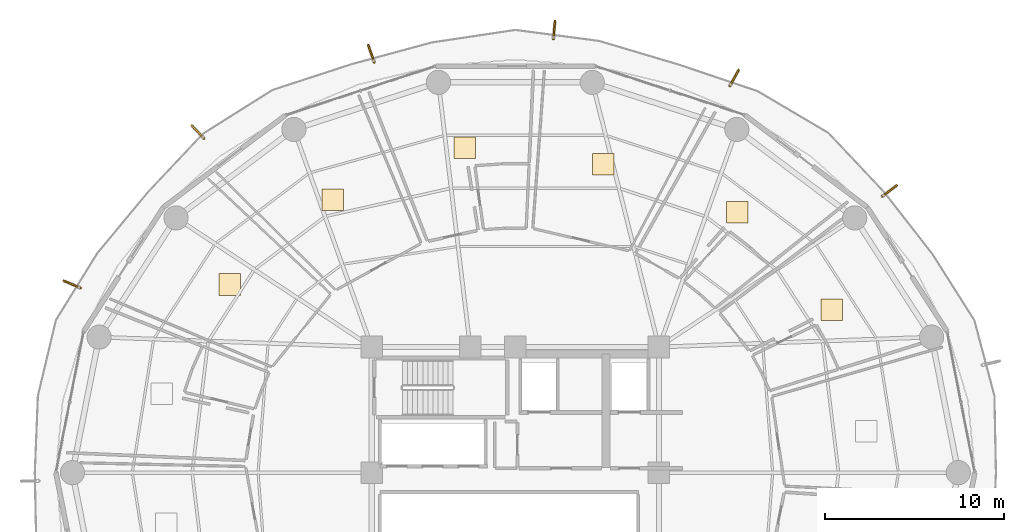
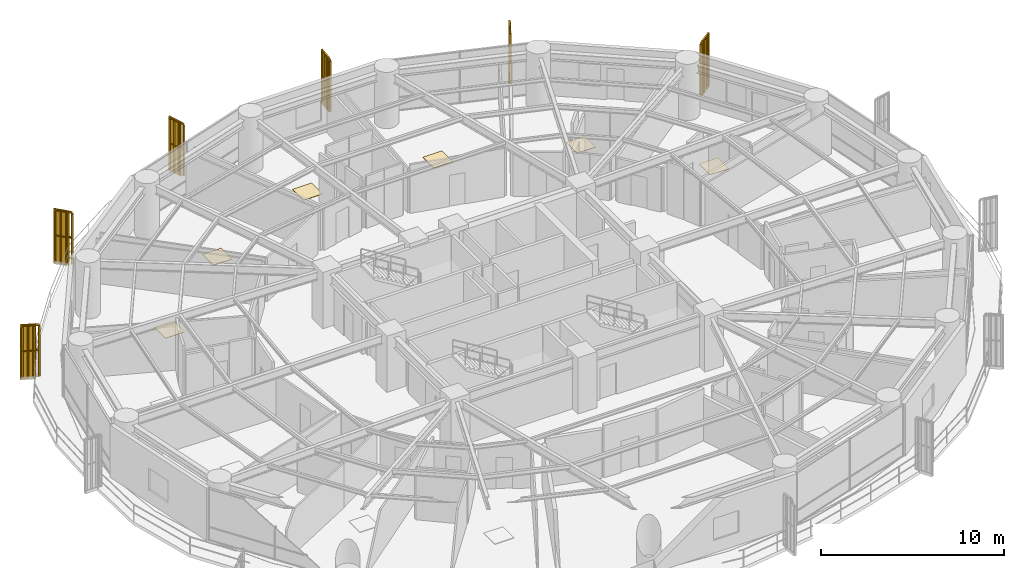
# One storey, part 37 of 37: 6 coverings, 6 railings, 6 shading devices.
"""IFC4 building model written with IfcOpenShell, lengths in metres."""

from ifc_helpers import new_model, si_unit, direction, frame, origin, origin_2d, place, context, subcontext, project, spatial, polyline, rectangle, outline, extrude, source, transform, mapped, material, layer, layer_set, type_object, element, save


model = new_model("IFC4")

# Units and contexts
model_context = context("Model", 3, precision=1e-05, world=origin(), true_north=direction((0.0, 1.0)))
body_context = subcontext(model_context, "Body", "Model", "MODEL_VIEW")
ifc_project = project(units=[si_unit("LENGTHUNIT", "METRE"), si_unit("AREAUNIT", "SQUARE_METRE"), si_unit("VOLUMEUNIT", "CUBIC_METRE"), si_unit("PLANEANGLEUNIT", "RADIAN"), si_unit("MASSUNIT", "GRAM", prefix="KILO")], contexts=[model_context])

# Site, building, storey
site_placement = place(None, origin())
site = spatial("IfcSite", under=ifc_project, at=site_placement, CompositionType="ELEMENT")
building_placement = place(site_placement, origin())
building = spatial("IfcBuilding", under=site, at=building_placement, Name="Kelanora Arch Commons", CompositionType="ELEMENT")
storey_placement = place(building_placement, frame((0.0, 0.0, 110.10009765625)))
storey = spatial("IfcBuildingStorey", under=building, at=storey_placement, Name="L28", CompositionType="ELEMENT", Elevation=110.10009765625)

# Railings
ifc_material_1 = material(Name="Anodised bronze vertical shading fin rib assembly")
railing_type = type_object("IfcRailingType", Name="RAIL-FIN-BRZ", PredefinedType="BALUSTRADE", material=ifc_material_1)
railing_1_placement = place(storey_placement, frame((94.44580078125, 73.398681640625, -0.02001953125)))
element("IfcRailing", 1, at=railing_1_placement, inside=storey, type_object=railing_type, Name="Sweeping Bronze Vertical Fin Blade L28-00", PredefinedType="BALUSTRADE", context=body_context, shape_type="SweptSolid", body=[
    extrude(outline(polyline([(0.06982421875, 0.0), (0.034912109375, 0.060546875), (-0.034912109375, 0.060546875), (-0.06982421875, 0.0), (-0.034912109375, -0.060546875), (0.034912109375, -0.060546875), (0.06982421875, 0.0)])), frame((0.0, 0.0, 3.419921875), z_axis=(0.798851787491, 0.601527905938, 0.0), x_axis=(-0.601527905938, 0.798851787491, 0.0)), (0.0, 0.0, 1.0), 0.9453125),
    extrude(outline(polyline([(0.06982421875, 0.0), (0.034912109375, 0.060546875), (-0.034912109375, 0.060546875), (-0.06982421875, 0.0), (-0.034912109375, -0.060546875), (0.034912109375, -0.060546875), (0.06982421875, 0.0)])), frame((0.0, 0.0, 1.7451171875), z_axis=(0.798851787491, 0.601527905938, 0.0), x_axis=(-0.601527905938, 0.798851787491, 0.0)), (0.0, 0.0, 1.0), 0.9453125),
    extrude(outline(polyline([(0.080078125, 0.0), (0.0400390625, 0.0693359375), (-0.0400390625, 0.0693359375), (-0.080078125, 0.0), (-0.0400390625, -0.0693359375), (0.0400390625, -0.0693359375), (0.080078125, 0.0)])), origin(), (0.0, 0.0, 1.0), 3.35009765625),
    extrude(outline(polyline([(0.080078125, 0.0), (0.0400390625, 0.0693359375), (-0.0400390625, 0.0693359375), (-0.080078125, 0.0), (-0.0400390625, -0.0693359375), (0.0400390625, -0.0693359375), (0.080078125, 0.0)])), frame((0.251708984375, 0.189453125, 0.0)), (0.0, 0.0, 1.0), 3.35009765625),
    extrude(outline(polyline([(0.080078125, 0.0), (0.0400390625, 0.0693359375), (-0.0400390625, 0.0693359375), (-0.080078125, 0.0), (-0.0400390625, -0.0693359375), (0.0400390625, -0.0693359375), (0.080078125, 0.0)])), frame((0.50341796875, 0.379150390625, 0.0)), (0.0, 0.0, 1.0), 3.35009765625),
    extrude(outline(polyline([(0.080078125, 0.0), (0.0400390625, 0.0693359375), (-0.0400390625, 0.0693359375), (-0.080078125, 0.0), (-0.0400390625, -0.0693359375), (0.0400390625, -0.0693359375), (0.080078125, 0.0)])), frame((0.755126953125, 0.568603515625, 0.0)), (0.0, 0.0, 1.0), 3.35009765625),
])
railing_2_placement = place(storey_placement, frame((85.9521484375, 79.548828125, -0.02001953125)))
element("IfcRailing", 2, at=railing_2_placement, inside=storey, type_object=railing_type, Name="Sweeping Bronze Vertical Fin Blade L28-01", PredefinedType="BALUSTRADE", context=body_context, shape_type="SweptSolid", body=[
    extrude(outline(polyline([(0.06982421875, 0.0), (0.034912109375, 0.060546875), (-0.034912109375, 0.060546875), (-0.06982421875, 0.0), (-0.034912109375, -0.060546875), (0.034912109375, -0.060546875), (0.06982421875, 0.0)])), frame((0.0, 0.0, 3.419921875), z_axis=(0.48491928831, 0.87455890815, 0.0), x_axis=(-0.87455890815, 0.48491928831, 0.0)), (0.0, 0.0, 1.0), 0.945556640625),
    extrude(outline(polyline([(0.06982421875, 0.0), (0.034912109375, 0.060546875), (-0.034912109375, 0.060546875), (-0.06982421875, 0.0), (-0.034912109375, -0.060546875), (0.034912109375, -0.060546875), (0.06982421875, 0.0)])), frame((0.0, 0.0, 1.7451171875), z_axis=(0.48491928831, 0.87455890815, 0.0), x_axis=(-0.87455890815, 0.48491928831, 0.0)), (0.0, 0.0, 1.0), 0.945556640625),
    extrude(outline(polyline([(0.080078125, 0.0), (0.0400390625, 0.0693359375), (-0.0400390625, 0.0693359375), (-0.080078125, 0.0), (-0.0400390625, -0.0693359375), (0.0400390625, -0.0693359375), (0.080078125, 0.0)])), origin(), (0.0, 0.0, 1.0), 3.35009765625),
    extrude(outline(polyline([(0.080078125, 0.0), (0.0400390625, 0.0693359375), (-0.0400390625, 0.0693359375), (-0.080078125, 0.0), (-0.0400390625, -0.0693359375), (0.0400390625, -0.0693359375), (0.080078125, 0.0)])), frame((0.15283203125, 0.275634765625, 0.0)), (0.0, 0.0, 1.0), 3.35009765625),
    extrude(outline(polyline([(0.080078125, 0.0), (0.0400390625, 0.0693359375), (-0.0400390625, 0.0693359375), (-0.080078125, 0.0), (-0.0400390625, -0.0693359375), (0.0400390625, -0.0693359375), (0.080078125, 0.0)])), frame((0.3056640625, 0.55126953125, 0.0)), (0.0, 0.0, 1.0), 3.35009765625),
    extrude(outline(polyline([(0.080078125, 0.0), (0.0400390625, 0.0693359375), (-0.0400390625, 0.0693359375), (-0.080078125, 0.0), (-0.0400390625, -0.0693359375), (0.0400390625, -0.0693359375), (0.080078125, 0.0)])), frame((0.45849609375, 0.826904296875, 0.0)), (0.0, 0.0, 1.0), 3.35009765625),
])
railing_3_placement = place(storey_placement, frame((76.120849609375, 82.16796875, -0.02001953125)))
element("IfcRailing", 3, at=railing_3_placement, inside=storey, type_object=railing_type, Name="Sweeping Bronze Vertical Fin Blade L28-02", PredefinedType="BALUSTRADE", context=body_context, shape_type="SweptSolid", body=[
    extrude(outline(polyline([(0.06982421875, 0.0), (0.034912109375, 0.060546875), (-0.034912109375, 0.060546875), (-0.06982421875, 0.0), (-0.034912109375, -0.060546875), (0.034912109375, -0.060546875), (0.06982421875, 0.0)])), frame((0.0, 0.0, 3.419921875), z_axis=(0.087275856296, 0.996184182221, 0.0), x_axis=(-0.996184182221, 0.087275856296, 0.0)), (0.0, 0.0, 1.0), 0.945556640625),
    extrude(outline(polyline([(0.06982421875, 0.0), (0.034912109375, 0.060546875), (-0.034912109375, 0.060546875), (-0.06982421875, 0.0), (-0.034912109375, -0.060546875), (0.034912109375, -0.060546875), (0.06982421875, 0.0)])), frame((0.0, 0.0, 1.7451171875), z_axis=(0.087275856296, 0.996184182221, 0.0), x_axis=(-0.996184182221, 0.087275856296, 0.0)), (0.0, 0.0, 1.0), 0.945556640625),
    extrude(outline(polyline([(0.080078125, 0.0), (0.0400390625, 0.0693359375), (-0.0400390625, 0.0693359375), (-0.080078125, 0.0), (-0.0400390625, -0.0693359375), (0.0400390625, -0.0693359375), (0.080078125, 0.0)])), origin(), (0.0, 0.0, 1.0), 3.35009765625),
    extrude(outline(polyline([(0.080078125, 0.0), (0.0400390625, 0.0693359375), (-0.0400390625, 0.0693359375), (-0.080078125, 0.0), (-0.0400390625, -0.0693359375), (0.0400390625, -0.0693359375), (0.080078125, 0.0)])), frame((0.027587890625, 0.31396484375, 0.0)), (0.0, 0.0, 1.0), 3.35009765625),
    extrude(outline(polyline([(0.080078125, 0.0), (0.0400390625, 0.0693359375), (-0.0400390625, 0.0693359375), (-0.080078125, 0.0), (-0.0400390625, -0.0693359375), (0.0400390625, -0.0693359375), (0.080078125, 0.0)])), frame((0.054931640625, 0.6279296875, 0.0)), (0.0, 0.0, 1.0), 3.35009765625),
    extrude(outline(polyline([(0.080078125, 0.0), (0.0400390625, 0.0693359375), (-0.0400390625, 0.0693359375), (-0.080078125, 0.0), (-0.0400390625, -0.0693359375), (0.0400390625, -0.0693359375), (0.080078125, 0.0)])), frame((0.08251953125, 0.94189453125, 0.0)), (0.0, 0.0, 1.0), 3.35009765625),
])
railing_4_placement = place(storey_placement, frame((66.130859375, 80.873046875, -0.02001953125)))
element("IfcRailing", 4, at=railing_4_placement, inside=storey, type_object=railing_type, Name="Sweeping Bronze Vertical Fin Blade L28-03", PredefinedType="BALUSTRADE", context=body_context, shape_type="SweptSolid", body=[
    extrude(outline(polyline([(0.06982421875, 0.0), (0.034912109375, 0.060546875), (-0.034912109375, 0.060546875), (-0.06982421875, 0.0), (-0.034912109375, -0.060546875), (0.034912109375, -0.060546875), (0.06982421875, 0.0)])), frame((0.0, 0.0, 3.419921875), z_axis=(-0.325353984028, 0.945592293262, 0.0), x_axis=(-0.945592293262, -0.325353984028, 0.0)), (0.0, 0.0, 1.0), 0.945556640625),
    extrude(outline(polyline([(0.06982421875, 0.0), (0.034912109375, 0.060546875), (-0.034912109375, 0.060546875), (-0.06982421875, 0.0), (-0.034912109375, -0.060546875), (0.034912109375, -0.060546875), (0.06982421875, 0.0)])), frame((0.0, 0.0, 1.7451171875), z_axis=(-0.325353984028, 0.945592293262, 0.0), x_axis=(-0.945592293262, -0.325353984028, 0.0)), (0.0, 0.0, 1.0), 0.945556640625),
    extrude(outline(polyline([(0.080078125, 0.0), (0.0400390625, 0.0693359375), (-0.0400390625, 0.0693359375), (-0.080078125, 0.0), (-0.0400390625, -0.0693359375), (0.0400390625, -0.0693359375), (0.080078125, 0.0)])), origin(), (0.0, 0.0, 1.0), 3.35009765625),
    extrude(outline(polyline([(0.080078125, 0.0), (0.0400390625, 0.0693359375), (-0.0400390625, 0.0693359375), (-0.080078125, 0.0), (-0.0400390625, -0.0693359375), (0.0400390625, -0.0693359375), (0.080078125, 0.0)])), frame((-0.1025390625, 0.298095703125, 0.0)), (0.0, 0.0, 1.0), 3.35009765625),
    extrude(outline(polyline([(0.080078125, 0.0), (0.0400390625, 0.0693359375), (-0.0400390625, 0.0693359375), (-0.080078125, 0.0), (-0.0400390625, -0.0693359375), (0.0400390625, -0.0693359375), (0.080078125, 0.0)])), frame((-0.205078125, 0.595947265625, 0.0)), (0.0, 0.0, 1.0), 3.35009765625),
    extrude(outline(polyline([(0.080078125, 0.0), (0.0400390625, 0.0693359375), (-0.0400390625, 0.0693359375), (-0.080078125, 0.0), (-0.0400390625, -0.0693359375), (0.0400390625, -0.0693359375), (0.080078125, 0.0)])), frame((-0.3076171875, 0.89404296875, 0.0)), (0.0, 0.0, 1.0), 3.35009765625),
])
railing_5_placement = place(storey_placement, frame((56.64599609375, 76.619384765625, -0.02001953125)))
element("IfcRailing", 5, at=railing_5_placement, inside=storey, type_object=railing_type, Name="Sweeping Bronze Vertical Fin Blade L28-04", PredefinedType="BALUSTRADE", context=body_context, shape_type="SweptSolid", body=[
    extrude(outline(polyline([(0.06982421875, 0.0), (0.034912109375, 0.060546875), (-0.034912109375, 0.060546875), (-0.06982421875, 0.0), (-0.034912109375, -0.060546875), (0.034912109375, -0.060546875), (0.06982421875, 0.0)])), frame((0.0, 0.0, 3.419921875), z_axis=(-0.681747588753, 0.731587469295, 0.0), x_axis=(-0.731587469295, -0.681747588753, 0.0)), (0.0, 0.0, 1.0), 0.9453125),
    extrude(outline(polyline([(0.06982421875, 0.0), (0.034912109375, 0.060546875), (-0.034912109375, 0.060546875), (-0.06982421875, 0.0), (-0.034912109375, -0.060546875), (0.034912109375, -0.060546875), (0.06982421875, 0.0)])), frame((0.0, 0.0, 1.7451171875), z_axis=(-0.681747588753, 0.731587469295, 0.0), x_axis=(-0.731587469295, -0.681747588753, 0.0)), (0.0, 0.0, 1.0), 0.9453125),
    extrude(outline(polyline([(0.080078125, 0.0), (0.0400390625, 0.0693359375), (-0.0400390625, 0.0693359375), (-0.080078125, 0.0), (-0.0400390625, -0.0693359375), (0.0400390625, -0.0693359375), (0.080078125, 0.0)])), origin(), (0.0, 0.0, 1.0), 3.35009765625),
    extrude(outline(polyline([(0.080078125, 0.0), (0.0400390625, 0.0693359375), (-0.0400390625, 0.0693359375), (-0.080078125, 0.0), (-0.0400390625, -0.0693359375), (0.0400390625, -0.0693359375), (0.080078125, 0.0)])), frame((-0.21484375, 0.23046875, 0.0)), (0.0, 0.0, 1.0), 3.35009765625),
    extrude(outline(polyline([(0.080078125, 0.0), (0.0400390625, 0.0693359375), (-0.0400390625, 0.0693359375), (-0.080078125, 0.0), (-0.0400390625, -0.0693359375), (0.0400390625, -0.0693359375), (0.080078125, 0.0)])), frame((-0.4296875, 0.461181640625, 0.0)), (0.0, 0.0, 1.0), 3.35009765625),
    extrude(outline(polyline([(0.080078125, 0.0), (0.0400390625, 0.0693359375), (-0.0400390625, 0.0693359375), (-0.080078125, 0.0), (-0.0400390625, -0.0693359375), (0.0400390625, -0.0693359375), (0.080078125, 0.0)])), frame((-0.64453125, 0.691650390625, 0.0)), (0.0, 0.0, 1.0), 3.35009765625),
])
railing_6_placement = place(storey_placement, frame((49.76708984375, 68.293701171875, -0.02001953125)))
element("IfcRailing", 6, at=railing_6_placement, inside=storey, type_object=railing_type, Name="Sweeping Bronze Vertical Fin Blade L28-05", PredefinedType="BALUSTRADE", context=body_context, shape_type="SweptSolid", body=[
    extrude(outline(polyline([(0.06982421875, 0.0), (0.034912109375, 0.060546875), (-0.034912109375, 0.060546875), (-0.06982421875, 0.0), (-0.034912109375, -0.060546875), (0.034912109375, -0.060546875), (0.06982421875, 0.0)])), frame((0.0, 0.0, 3.419921875), z_axis=(-0.920395980397, 0.390987518047, 0.0), x_axis=(-0.390987518047, -0.920395980397, 0.0)), (0.0, 0.0, 1.0), 0.9453125),
    extrude(outline(polyline([(0.06982421875, 0.0), (0.034912109375, 0.060546875), (-0.034912109375, 0.060546875), (-0.06982421875, 0.0), (-0.034912109375, -0.060546875), (0.034912109375, -0.060546875), (0.06982421875, 0.0)])), frame((0.0, 0.0, 1.7451171875), z_axis=(-0.920395980397, 0.390987518047, 0.0), x_axis=(-0.390987518047, -0.920395980397, 0.0)), (0.0, 0.0, 1.0), 0.9453125),
    extrude(outline(polyline([(0.080078125, 0.0), (0.0400390625, 0.0693359375), (-0.0400390625, 0.0693359375), (-0.080078125, 0.0), (-0.0400390625, -0.0693359375), (0.0400390625, -0.0693359375), (0.080078125, 0.0)])), origin(), (0.0, 0.0, 1.0), 3.35009765625),
    extrude(outline(polyline([(0.080078125, 0.0), (0.0400390625, 0.0693359375), (-0.0400390625, 0.0693359375), (-0.080078125, 0.0), (-0.0400390625, -0.0693359375), (0.0400390625, -0.0693359375), (0.080078125, 0.0)])), frame((-0.2900390625, 0.123291015625, 0.0)), (0.0, 0.0, 1.0), 3.35009765625),
    extrude(outline(polyline([(0.080078125, 0.0), (0.0400390625, 0.0693359375), (-0.0400390625, 0.0693359375), (-0.080078125, 0.0), (-0.0400390625, -0.0693359375), (0.0400390625, -0.0693359375), (0.080078125, 0.0)])), frame((-0.580078125, 0.246337890625, 0.0)), (0.0, 0.0, 1.0), 3.35009765625),
    extrude(outline(polyline([(0.080078125, 0.0), (0.0400390625, 0.0693359375), (-0.0400390625, 0.0693359375), (-0.080078125, 0.0), (-0.0400390625, -0.0693359375), (0.0400390625, -0.0693359375), (0.080078125, 0.0)])), frame((-0.8701171875, 0.36962890625, 0.0)), (0.0, 0.0, 1.0), 3.35009765625),
])

# Shading devices
ifc_material_2 = material(Name="Terracotta ceramic-clad extruded aluminium fin", Category="masonry")
shading_device_type = type_object("IfcShadingDeviceType", Name="SHD-FIN-FLARE", PredefinedType="USERDEFINED", material=ifc_material_2)
shared_shape_1 = source(origin(), body_context, "Body", "SweptSolid", [
    extrude(rectangle(XDim=0.8798828125, YDim=0.090087890625, at=origin_2d()), origin(), (0.0, 0.0, 1.0), 3.610107421875),
])
for number, where, z_axis, x_axis, name in (
    (7, (94.935302734375, 73.76708984375, -0.14013671875), (0.0, 0.0, 1.0), (0.79884553446, 0.60153621011, 0.0), "Sweeping Terracotta Fin L28-00"),
    (8, (86.249267578125, 80.084716796875, -0.14013671875), (0.0, 0.0, 1.0), (0.485114890576, 0.874450423376, 0.0), "Sweeping Terracotta Fin L28-01"),
    (9, (76.17431640625, 82.7783203125, -0.14013671875), (0.0, 0.0, 1.0), (0.08750347498, 0.996164214307, 0.0), "Sweeping Terracotta Fin L28-02"),
    (10, (65.931396484375, 81.452392578125, -0.14013671875), (0.0, 0.0, 1.0), (-0.325238086383, 0.945632162717, 0.0), "Sweeping Terracotta Fin L28-03"),
    (11, (56.228515625, 77.06787109375, -0.14013671875), (0.0, 0.0, 1.0), (-0.681870704375, 0.731472721648, 0.0), "Sweeping Terracotta Fin L28-04"),
    (12, (49.203125, 68.533203125, -0.14013671875), (0.0, 0.0, 1.0), (-0.920436643986, 0.390891780942, 0.0), "Sweeping Terracotta Fin L28-05"),
):
    element("IfcShadingDevice", number, at=place(storey_placement, frame(where, z_axis=z_axis, x_axis=x_axis)), inside=storey, type_object=shading_device_type, Name=name, ObjectType="FIN", PredefinedType="USERDEFINED", context=body_context, shape_type="MappedRepresentation", body=[
        mapped(shared_shape_1, transform((0.0, 0.0, 0.0), scale=1.0)),
    ])

# Coverings
ifc_material_3 = material(Name="Polished local granite terrazzo flooring", Category="masonry")
ifc_layer = layer(ifc_material_3, 0.030029296875)
ifc_layer_set = layer_set([ifc_layer], Name="Polished local granite terrazzo flooring")
covering_type = type_object("IfcCoveringType", Name="COV-FLR-TER", PredefinedType="FLOORING", material=ifc_layer_set)
shared_shape_2 = source(origin(), body_context, "Body", "SweptSolid", [
    extrude(rectangle(XDim=1.199951171875, YDim=1.199951171875, at=origin_2d()), origin(), (0.0, 0.0, 1.0), 0.030029296875),
])
for number, where, z_axis, x_axis, name in (
    (13, (91.62060546875, 67.083984375, 0.0), (0.0, 0.0, 1.0), (1.0, 0.0, 0.0), "Co-Living Studio L28-05 Terrazzo Finish"),
    (14, (86.356689453125, 72.501708984375, 0.0), (0.0, 0.0, 1.0), (1.0, 0.0, 0.0), "Co-Living Studio L28-06 Terrazzo Finish"),
    (15, (78.886962890625, 75.189453125, 0.0), (0.0, 0.0, 1.0), (1.0, 0.0, 0.0), "Social Sky Lounge L28-07 Terrazzo Finish"),
    (16, (71.192626953125, 76.097412109375, 0.0), (0.0, 0.0, 1.0), (1.0, 0.0, 0.0), "Co-Living Studio L28-08 Terrazzo Finish"),
    (17, (63.827880859375, 73.19775390625, 0.0), (0.0, 0.0, 1.0), (1.0, 0.0, 0.0), "Quiet Seminar Study Room L28-09 Terrazzo Finish"),
    (18, (58.098388671875, 68.482666015625, 0.0), (0.0, 0.0, 1.0), (1.0, 0.0, 0.0), "Communal Dining and Social Hall L28-10 Terrazzo Finish"),
):
    element("IfcCovering", number, at=place(storey_placement, frame(where, z_axis=z_axis, x_axis=x_axis)), inside=storey, type_object=covering_type, Name=name, PredefinedType="FLOORING", context=body_context, shape_type="MappedRepresentation", body=[
        mapped(shared_shape_2, transform((0.0, 0.0, 0.0), scale=1.0)),
    ])

save(model, "model.ifc")
